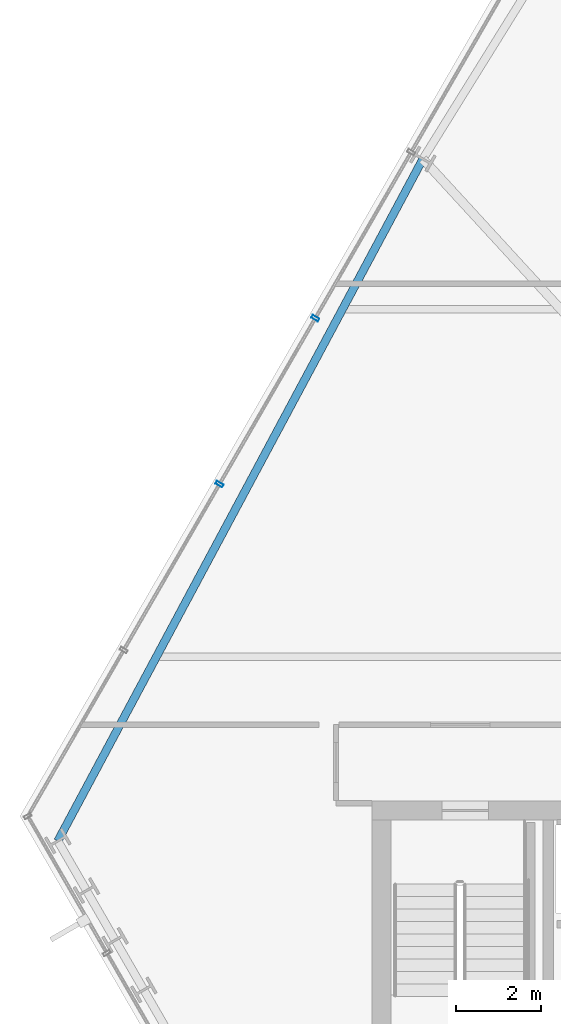
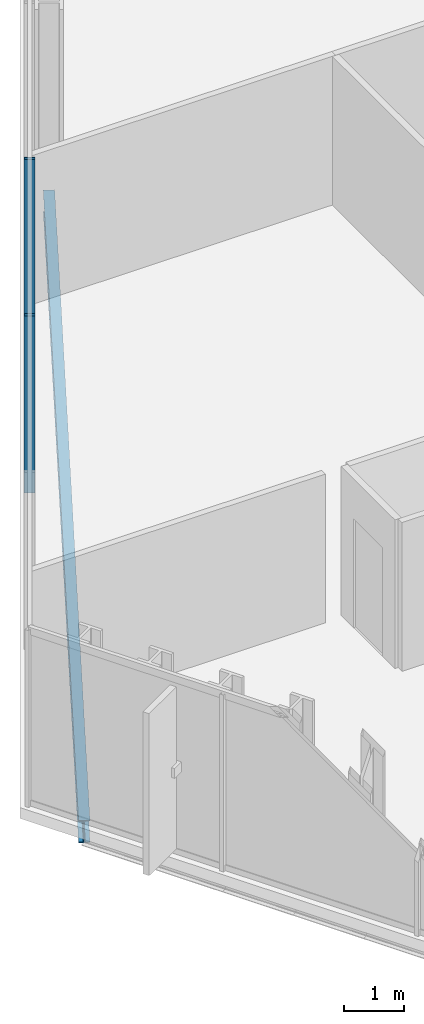
# One storey, part 11 of 33: 2 members, 1 beam, 1 element without a shape of its own.
"""IFC4 building model written with IfcOpenShell, lengths in metres."""

from ifc_helpers import new_model, si_unit, direction, frame, origin, origin_2d, place, context, subcontext, project, spatial, hollow_rectangle, i_section, extrude, material, layer, layer_set, material_profile, profile_set, type_object, element, aggregate, save


model = new_model("IFC4")

# Units and contexts
model_context = context("Model", 3, precision=1e-05, world=origin(), true_north=direction((0.0, 1.0)))
body_context = subcontext(model_context, "Body", "Model", "MODEL_VIEW")
ifc_project = project(units=[si_unit("LENGTHUNIT", "METRE"), si_unit("AREAUNIT", "SQUARE_METRE"), si_unit("VOLUMEUNIT", "CUBIC_METRE"), si_unit("PLANEANGLEUNIT", "RADIAN"), si_unit("MASSUNIT", "GRAM", prefix="KILO")], contexts=[model_context])

# Site, building, storey
site_placement = place(None, origin())
site = spatial("IfcSite", under=ifc_project, at=site_placement, CompositionType="ELEMENT")
building_placement = place(site_placement, origin())
building = spatial("IfcBuilding", under=site, at=building_placement, Name="Ndaravel Arena Tower", CompositionType="ELEMENT")
storey_placement = place(building_placement, frame((0.0, 0.0, 153.60009765625)))
storey = spatial("IfcBuildingStorey", under=building, at=storey_placement, Name="L36", CompositionType="ELEMENT", Elevation=153.60009765625)

# Beam
ifc_material_1 = material(Name="Steel S355", Category="steel")
ifc_material_profile_1 = material_profile(ifc_material_1, i_section(OverallWidth=0.18994140625, OverallDepth=0.449951171875, WebThickness=0.009521484375, FlangeThickness=0.0146484375, FilletRadius=0.02099609375, at=origin_2d()), Name="IPE 450")
ifc_profile_set_1 = profile_set([ifc_material_profile_1], Name="Steel S355")
beam_type = type_object("IfcBeamType", Name="BM-SPAN-IPE450", PredefinedType="SPANDREL", material=ifc_profile_set_1)
beam_placement = place(storey_placement, frame((27.647216796875, 30.339599609375, -0.445068359375), z_axis=(-0.47193833107, -0.881631562313, 0.0), x_axis=(0.881631562313, -0.47193833107, 0.0)))
element("IfcBeam", 1, at=beam_placement, inside=storey, type_object=beam_type, Name="L36 Perimeter Spandrel Beam SP-19", PredefinedType="SPANDREL", context=body_context, shape_type="SweptSolid", body=[
    extrude(i_section(OverallWidth=0.18994140625, OverallDepth=0.449951171875, WebThickness=0.009521484375, FlangeThickness=0.0146484375, FilletRadius=0.02099609375, at=origin_2d()), origin(), (0.0, 0.0, 1.0), 18.238525390625),
])

# Curtain wall, members
ifc_material_2 = material(Name="Aluminium", Category="aluminium")
ifc_layer = layer(ifc_material_2, 0.179931640625)
ifc_layer_set = layer_set([ifc_layer], Name="Aluminium")
curtain_wall_type = type_object("IfcCurtainWallType", Name="CW-SYS-03", PredefinedType="NOTDEFINED", material=ifc_layer_set)
curtain_wall_placement = place(storey_placement, origin())
curtain_wall = element("IfcCurtainWall", 2, at=curtain_wall_placement, inside=storey, type_object=curtain_wall_type, Name="L36 Faceted Crystal Curtain Wall CW-L36-E05", PredefinedType="NOTDEFINED")
ifc_material_3 = material(Name="Aluminium", Category="aluminium")
ifc_material_profile_2 = material_profile(ifc_material_3, hollow_rectangle(XDim=0.074951171875, YDim=0.179931640625, WallThickness=0.00390625, at=origin_2d()), Name="CW MULLION 75x180x4")
ifc_profile_set_2 = profile_set([ifc_material_profile_2], Name="Aluminium")
member_type = type_object("IfcMemberType", Name="MEM-CW-MUL180", PredefinedType="MULLION", material=ifc_profile_set_2)
member_1_placement = place(storey_placement, frame((25.110595703125, 26.5859375, 0.0), z_axis=(0.0, 0.0, 1.0), x_axis=(-0.5, -0.866025403784, 0.0)))
member_1 = element("IfcMember", 3, at=member_1_placement, type_object=member_type, Name="CW-L36-E05 Mullion 05", PredefinedType="MULLION", context=body_context, shape_type="SweptSolid", body=[
    extrude(hollow_rectangle(XDim=0.074951171875, YDim=0.179931640625, WallThickness=0.00390625, at=origin_2d()), origin(), (0.0, 0.0, 1.0), 3.579833984375),
])
member_2_placement = place(storey_placement, frame((22.851318359375, 22.672607421875, 0.0), z_axis=(0.0, 0.0, 1.0), x_axis=(-0.5, -0.866025403784, 0.0)))
member_2 = element("IfcMember", 4, at=member_2_placement, type_object=member_type, Name="CW-L36-E05 Mullion 06", PredefinedType="MULLION", context=body_context, shape_type="SweptSolid", body=[
    extrude(hollow_rectangle(XDim=0.074951171875, YDim=0.179931640625, WallThickness=0.00390625, at=origin_2d()), origin(), (0.0, 0.0, 1.0), 3.579833984375),
])
aggregate(curtain_wall, [member_1, member_2])

save(model, "model.ifc")
